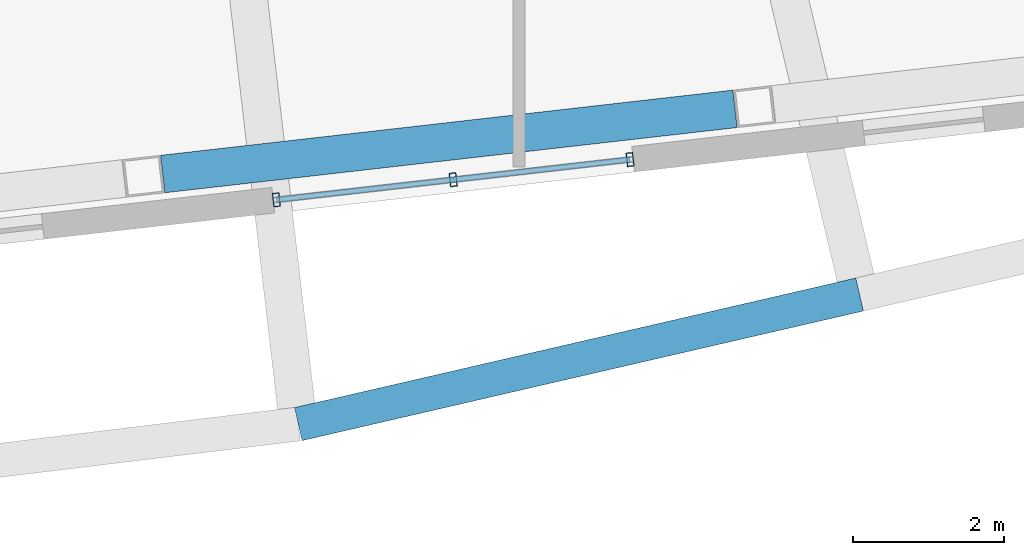
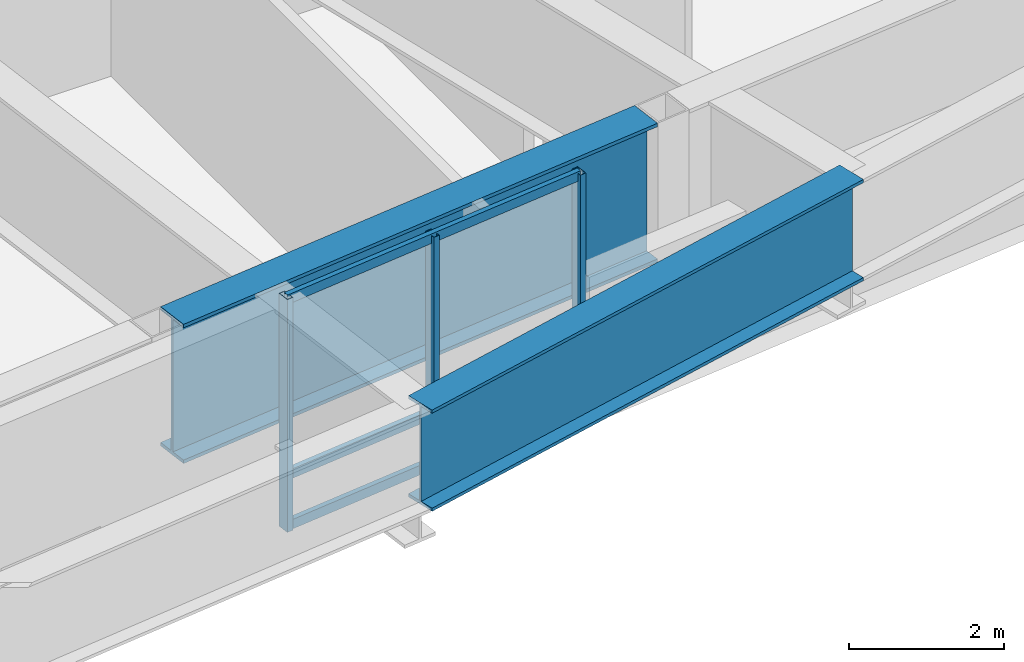
# One storey, part 6 of 18: 6 members, 2 beams, 1 element without a shape of its own.
"""IFC4 building model written with IfcOpenShell, lengths in metres."""

import ifcopenshell
import ifcopenshell.guid

model = None  # the IFC model being written
_history = None  # IfcOwnerHistory: only IFC2X3 demands one
_inside = {}  # id of a spatial element -> (the spatial element, [elements in it])
_under = {}  # id of a project, library or spatial element -> (it, [spatial elements below it])
_declared = {}  # id of a project -> (the project, [libraries it declares])
_typed = {}  # id of a type object -> (the type object, [elements of that type])
_made_of = {}  # id of a material, layer set ... -> (it, [elements and type objects made of it])


def new_model(schema):
    """Start an empty IFC model of exactly this schema.

    Asked for "IFC4X3", IfcOpenShell would pick the latest addendum, in which some entities
    have other attributes; the version numbers below select the first issue.
    IFC2X3 requires an IfcOwnerHistory on every rooted entity: one is made here for all.
    """
    global model, _history
    if schema == "IFC4X3":
        model = ifcopenshell.file(schema_version=(4, 3, 0, 0))
    else:
        model = ifcopenshell.file(schema=schema)
    _inside.clear()
    _under.clear()
    _declared.clear()
    _typed.clear()
    _made_of.clear()
    _history = None
    if model.schema == "IFC2X3":
        org = make("IfcOrganization", Name="unknown")
        user = make(
            "IfcPersonAndOrganization",
            ThePerson=make("IfcPerson", FamilyName="unknown"),
            TheOrganization=org,
        )
        app = make(
            "IfcApplication",
            ApplicationDeveloper=org,
            Version="unknown",
            ApplicationFullName="unknown",
            ApplicationIdentifier="unknown",
        )
        _history = make(
            "IfcOwnerHistory",
            OwningUser=user,
            OwningApplication=app,
            ChangeAction="ADDED",
            CreationDate=0,
        )
    return model


def make(cls, **values):
    """One entity of the class cls with the attributes given. An attribute that is None is left unset."""
    return model.create_entity(
        cls, **{name: value for name, value in values.items() if value is not None}
    )


def rooted(cls, **values):
    """An entity with a GlobalId (a new one), such as an element, a storey or a relation."""
    return make(cls, GlobalId=ifcopenshell.guid.new(), OwnerHistory=_history, **values)


def si_unit(unit_type, name, prefix=None):
    """IfcSIUnit, for example si_unit("LENGTHUNIT", "METRE", prefix="MILLI")."""
    return make("IfcSIUnit", UnitType=unit_type, Prefix=prefix, Name=name)


def assignment(units):
    """IfcUnitAssignment: the units of a project."""
    return None if units is None else make("IfcUnitAssignment", Units=units)


def point(xyz):
    """IfcCartesianPoint."""
    return None if xyz is None else make("IfcCartesianPoint", Coordinates=xyz)


def direction(xyz):
    """IfcDirection."""
    return None if xyz is None else make("IfcDirection", DirectionRatios=xyz)


def frame(location, z_axis=None, x_axis=None):
    """IfcAxis2Placement3D, a coordinate frame: its origin and axes. An axis left out is left unset."""
    return make(
        "IfcAxis2Placement3D",
        Location=point(location),
        Axis=direction(z_axis),
        RefDirection=direction(x_axis),
    )


def frame_2d(location, x_axis=None):
    """IfcAxis2Placement2D, a coordinate frame in the plane: its origin and x axis."""
    return make(
        "IfcAxis2Placement2D", Location=point(location), RefDirection=direction(x_axis)
    )


def origin():
    """The frame at (0, 0, 0) with its axes left unset."""
    return frame((0.0, 0.0, 0.0))


def origin_2d():
    """The frame at (0, 0) in the plane with its x axis left unset."""
    return frame_2d((0.0, 0.0))


def place(relative_to, where):
    """IfcLocalPlacement: puts the frame where relative to a parent placement (None: the world)."""
    return make(
        "IfcLocalPlacement", PlacementRelTo=relative_to, RelativePlacement=where
    )


def context(
    kind, dimensions, precision=None, world=None, true_north=None, identifier=None
):
    """IfcGeometricRepresentationContext, for example the 3D "Model" context."""
    return make(
        "IfcGeometricRepresentationContext",
        ContextIdentifier=identifier,
        ContextType=kind,
        CoordinateSpaceDimension=dimensions,
        Precision=precision,
        WorldCoordinateSystem=world,
        TrueNorth=true_north,
    )


def subcontext(parent, identifier, kind, view, scale=None):
    """IfcGeometricRepresentationSubContext, for example "Body" below "Model"."""
    return make(
        "IfcGeometricRepresentationSubContext",
        ContextIdentifier=identifier,
        ContextType=kind,
        ParentContext=parent,
        TargetScale=scale,
        TargetView=view,
    )


def project(units=None, contexts=None):
    """IfcProject with its units and contexts."""
    return rooted(
        "IfcProject",
        Name="project",
        RepresentationContexts=contexts,
        UnitsInContext=assignment(units),
    )


def spatial(cls, under=None, at=None, **own):
    """A site, building, storey or space (cls), placed at a placement, below another one or the project."""
    s = rooted(cls, ObjectPlacement=at, **own)
    if under is not None:
        _under.setdefault(under.id(), (under, []))[1].append(s)
    return s


def profile(cls, at=None, kind="AREA", **sizes):
    """A parametric profile (cls). Its sizes go by their IFC names, for example OverallWidth=200.0."""
    return make(cls, ProfileType=kind, Position=at, **sizes)


def hollow_rectangle(**sizes):
    """IfcRectangleHollowProfileDef."""
    return profile("IfcRectangleHollowProfileDef", **sizes)


def i_section(**sizes):
    """IfcIShapeProfileDef."""
    return profile("IfcIShapeProfileDef", **sizes)


def extrude(swept, where, along, depth):
    """IfcExtrudedAreaSolid: the profile swept, set in the frame where, extruded along a direction by depth."""
    return make(
        "IfcExtrudedAreaSolid",
        SweptArea=swept,
        Position=where,
        ExtrudedDirection=direction(along),
        Depth=depth,
    )


def shape(context_of_items, identifier, shape_type, items):
    """IfcShapeRepresentation: the items that make up one representation, for example the "Body"."""
    return make(
        "IfcShapeRepresentation",
        ContextOfItems=context_of_items,
        RepresentationIdentifier=identifier,
        RepresentationType=shape_type,
        Items=items,
    )


def material(Name=None, Category=None):
    """IfcMaterial."""
    return make("IfcMaterial", Name=Name, Category=Category)


def layer(
    of_material, thickness, ventilated=None, Name=None, Category=None, Priority=None
):
    """IfcMaterialLayer: one layer of a wall or slab, of a material (None: an air gap)."""
    return make(
        "IfcMaterialLayer",
        Material=of_material,
        LayerThickness=thickness,
        IsVentilated=ventilated,
        Name=Name,
        Category=Category,
        Priority=Priority,
    )


def layer_set(layers, Name=None):
    """IfcMaterialLayerSet."""
    return make("IfcMaterialLayerSet", MaterialLayers=layers, LayerSetName=Name)


def material_profile(
    of_material, cross_section, Name=None, Category=None, Priority=None
):
    """IfcMaterialProfile: a cross section and its material."""
    return make(
        "IfcMaterialProfile",
        Name=Name,
        Material=of_material,
        Profile=cross_section,
        Priority=Priority,
        Category=Category,
    )


def profile_set(profiles, Name=None, composite=None):
    """IfcMaterialProfileSet."""
    return make(
        "IfcMaterialProfileSet",
        Name=Name,
        MaterialProfiles=profiles,
        CompositeProfile=composite,
    )


def made_of(thing, what):
    """Note that an element or type object is made of a material, layer set ...; save() writes the relation."""
    if what is not None:
        _made_of.setdefault(what.id(), (what, []))[1].append(thing)
    return thing


def type_object(cls, material=None, **own):
    """A type object (cls), such as IfcWallType, which elements share."""
    return made_of(rooted(cls, **own), material)


def element(
    cls,
    number,
    at=None,
    inside=None,
    cuts=None,
    type_object=None,
    material=None,
    context=None,
    identifier="Body",
    shape_type=None,
    held_by="IfcProductDefinitionShape",
    body=None,
    shapes=None,
    **own,
):
    """One element of the class cls, such as IfcWall. Its Tag is "e" and its number.

    at: its placement. inside: the storey or other place that contains it. cuts: it is an
    opening in that element (IfcRelVoidsElement). A single representation is given by context,
    identifier, shape_type and body (its items); several are given by shapes. held_by: the class
    of the entity that holds the representations. save() writes the other relations.
    """
    e = rooted(cls, Tag="e%d" % number, ObjectPlacement=at, **own)
    if body is not None:
        shapes = [shape(context, identifier, shape_type, body)]
    if shapes is not None:
        e.Representation = make(held_by, Representations=shapes)
    if inside is not None:
        _inside.setdefault(inside.id(), (inside, []))[1].append(e)
    if cuts is not None:
        rooted(
            "IfcRelVoidsElement", RelatingBuildingElement=cuts, RelatedOpeningElement=e
        )
    if type_object is not None:
        _typed.setdefault(type_object.id(), (type_object, []))[1].append(e)
    return made_of(e, material)


def aggregate(whole, parts):
    """IfcRelAggregates: a whole, such as a stair, and the parts it consists of."""
    return rooted("IfcRelAggregates", RelatingObject=whole, RelatedObjects=parts)


def save(model, path):
    """Write the relations noted so far, then the file.

    IfcRelAggregates (storeys below a building ...), IfcRelContainedInSpatialStructure (elements
    in a storey), IfcRelDefinesByType, IfcRelAssociatesMaterial and IfcRelDeclares: one each for
    every whole, place, type object, material and project.
    """
    for whole, parts in _under.values():
        aggregate(whole, parts)
    for where, things in _inside.values():
        rooted(
            "IfcRelContainedInSpatialStructure",
            RelatedElements=things,
            RelatingStructure=where,
        )
    for kind, things in _typed.values():
        rooted("IfcRelDefinesByType", RelatedObjects=things, RelatingType=kind)
    for what, things in _made_of.values():
        rooted("IfcRelAssociatesMaterial", RelatedObjects=things, RelatingMaterial=what)
    for by, libraries in _declared.values():
        rooted("IfcRelDeclares", RelatingContext=by, RelatedDefinitions=libraries)
    model.write(path)


model = new_model("IFC4")

# Units and contexts
model_context = context("Model", 3, precision=1e-05, world=origin(), true_north=direction((0.0, 1.0)))
body_context = subcontext(model_context, "Body", "Model", "MODEL_VIEW")
ifc_project = project(units=[si_unit("LENGTHUNIT", "METRE"), si_unit("AREAUNIT", "SQUARE_METRE"), si_unit("VOLUMEUNIT", "CUBIC_METRE"), si_unit("PLANEANGLEUNIT", "RADIAN"), si_unit("MASSUNIT", "GRAM", prefix="KILO")], contexts=[model_context])

# Site, building, storey
site_placement = place(None, origin())
site = spatial("IfcSite", under=ifc_project, at=site_placement, CompositionType="ELEMENT")
building_placement = place(site_placement, origin())
building = spatial("IfcBuilding", under=site, at=building_placement, Name="Tavrogorsk Clinical Tower", CompositionType="ELEMENT")
storey_placement = place(building_placement, frame((0.0, 0.0, 267.0)))
storey = spatial("IfcBuildingStorey", under=building, at=storey_placement, Name="L62", CompositionType="ELEMENT", Elevation=267.0)

# Curtain wall, members
ifc_material_1 = material(Name="Anodised aluminium and triple IGU glazing", Category="aluminium")
ifc_layer = layer(ifc_material_1, 0.179931640625)
ifc_layer_set = layer_set([ifc_layer], Name="Anodised aluminium and triple IGU glazing")
curtain_wall_type = type_object("IfcCurtainWallType", Name="CW3_SouthSlot", PredefinedType="NOTDEFINED", material=ifc_layer_set)
curtain_wall_placement = place(storey_placement, origin())
curtain_wall = element("IfcCurtainWall", 1, at=curtain_wall_placement, inside=storey, type_object=curtain_wall_type, Name="L62 Curtain Wall CW-L62-S-SLOT-2", PredefinedType="NOTDEFINED")
ifc_material_2 = material(Name="Anodised aluminium alloy AW-6060", Category="aluminium")
ifc_material_profile_1 = material_profile(ifc_material_2, hollow_rectangle(XDim=0.090087890625, YDim=0.179931640625, WallThickness=0.00634765625, at=origin_2d()), Name="RHS-180x90x6.3")
ifc_profile_set_1 = profile_set([ifc_material_profile_1], Name="Anodised aluminium alloy AW-6060")
member_type_1 = type_object("IfcMemberType", Name="CwMullion_180x90", PredefinedType="MULLION", material=ifc_profile_set_1)
member_1_placement = place(storey_placement, frame((5.982177734375, -19.42529296875, 0.0), z_axis=(0.0, 0.0, 1.0), x_axis=(0.993571855603, 0.11320321441, 0.0)))
member_1 = element("IfcMember", 2, at=member_1_placement, type_object=member_type_1, Name="CW-L62-S-SLOT-2 Mullion 1", PredefinedType="MULLION", context=body_context, shape_type="SweptSolid", body=[
    extrude(hollow_rectangle(XDim=0.090087890625, YDim=0.179931640625, WallThickness=0.00634765625, at=origin_2d()), origin(), (0.0, 0.0, 1.0), 3.679931640625),
])
member_2_placement = place(storey_placement, frame((8.325927734375, -19.158203125, 0.0), z_axis=(0.0, 0.0, 1.0), x_axis=(0.993571855603, 0.11320321441, 0.0)))
member_2 = element("IfcMember", 3, at=member_2_placement, type_object=member_type_1, Name="CW-L62-S-SLOT-2 Mullion 2", PredefinedType="MULLION", context=body_context, shape_type="SweptSolid", body=[
    extrude(hollow_rectangle(XDim=0.090087890625, YDim=0.179931640625, WallThickness=0.00634765625, at=origin_2d()), origin(), (0.0, 0.0, 1.0), 3.679931640625),
])
member_3_placement = place(storey_placement, frame((10.669677734375, -18.89111328125, 0.0), z_axis=(0.0, 0.0, 1.0), x_axis=(0.993571855603, 0.11320321441, 0.0)))
member_3 = element("IfcMember", 4, at=member_3_placement, type_object=member_type_1, Name="CW-L62-S-SLOT-2 Mullion 3", PredefinedType="MULLION", context=body_context, shape_type="SweptSolid", body=[
    extrude(hollow_rectangle(XDim=0.090087890625, YDim=0.179931640625, WallThickness=0.00634765625, at=origin_2d()), origin(), (0.0, 0.0, 1.0), 3.679931640625),
])
ifc_material_3 = material(Name="Anodised aluminium alloy AW-6060", Category="aluminium")
ifc_material_profile_2 = material_profile(ifc_material_3, hollow_rectangle(XDim=0.074951171875, YDim=0.14990234375, WallThickness=0.0048828125, at=origin_2d()), Name="RHS-150x75x5")
ifc_profile_set_2 = profile_set([ifc_material_profile_2], Name="Anodised aluminium alloy AW-6060")
member_type_2 = type_object("IfcMemberType", Name="CwTransom_150x75", PredefinedType="USERDEFINED", material=ifc_profile_set_2)
member_4_placement = place(storey_placement, frame((5.982177734375, -19.42529296875, 0.050048828125), z_axis=(0.993569315854, 0.113225503286, 0.0), x_axis=(-0.113225503286, 0.993569315854, 0.0)))
member_4 = element("IfcMember", 5, at=member_4_placement, type_object=member_type_2, Name="CW-L62-S-SLOT-2 Transom 1", ObjectType="TRANSOM", PredefinedType="USERDEFINED", context=body_context, shape_type="SweptSolid", body=[
    extrude(hollow_rectangle(XDim=0.074951171875, YDim=0.14990234375, WallThickness=0.0048828125, at=origin_2d()), origin(), (0.0, 0.0, 1.0), 4.7177734375),
])
member_5_placement = place(storey_placement, frame((5.982177734375, -19.42529296875, 0.85009765625), z_axis=(0.993569315854, 0.113225503286, 0.0), x_axis=(-0.113225503286, 0.993569315854, 0.0)))
member_5 = element("IfcMember", 6, at=member_5_placement, type_object=member_type_2, Name="CW-L62-S-SLOT-2 Transom 2", ObjectType="TRANSOM", PredefinedType="USERDEFINED", context=body_context, shape_type="SweptSolid", body=[
    extrude(hollow_rectangle(XDim=0.074951171875, YDim=0.14990234375, WallThickness=0.0048828125, at=origin_2d()), origin(), (0.0, 0.0, 1.0), 4.7177734375),
])
member_6_placement = place(storey_placement, frame((5.982177734375, -19.42529296875, 3.6298828125), z_axis=(0.993569315854, 0.113225503286, 0.0), x_axis=(-0.113225503286, 0.993569315854, 0.0)))
member_6 = element("IfcMember", 7, at=member_6_placement, type_object=member_type_2, Name="CW-L62-S-SLOT-2 Transom 3", ObjectType="TRANSOM", PredefinedType="USERDEFINED", context=body_context, shape_type="SweptSolid", body=[
    extrude(hollow_rectangle(XDim=0.074951171875, YDim=0.14990234375, WallThickness=0.0048828125, at=origin_2d()), origin(), (0.0, 0.0, 1.0), 4.7177734375),
])
aggregate(curtain_wall, [member_1, member_2, member_3, member_4, member_5, member_6])

# Beams
ifc_material_4 = material(Name="Structural steel S440", Category="steel")
ifc_material_profile_3 = material_profile(ifc_material_4, i_section(OverallWidth=0.449951171875, OverallDepth=1.60009765625, WebThickness=0.031982421875, FlangeThickness=0.050048828125, at=origin_2d()), Name="DK-1600x450x32x50")
ifc_profile_set_3 = profile_set([ifc_material_profile_3], Name="Structural steel S440")
beam_type_1 = type_object("IfcBeamType", Name="TransferGirder_DK1600", PredefinedType="USERDEFINED", material=ifc_profile_set_3)
beam_1_placement = place(storey_placement, frame((6.272705078125, -22.39697265625, 2.8798828125), z_axis=(0.974370709994, 0.22494825962, 0.0), x_axis=(-0.22494825962, 0.974370709994, 0.0)))
element("IfcBeam", 8, at=beam_1_placement, inside=storey, type_object=beam_type_1, Name="L63 Transfer Edge Girder S5-S6", ObjectType="GIRDER", PredefinedType="USERDEFINED", context=body_context, shape_type="SweptSolid", body=[
    extrude(i_section(OverallWidth=0.449951171875, OverallDepth=1.60009765625, WebThickness=0.031982421875, FlangeThickness=0.050048828125, at=origin_2d()), origin(), (0.0, 0.0, 1.0), 7.634033203125),
])
ifc_material_5 = material(Name="Structural steel S440", Category="steel")
ifc_material_profile_4 = material_profile(ifc_material_5, i_section(OverallWidth=0.5, OverallDepth=2.199951171875, WebThickness=0.035888671875, FlangeThickness=0.054931640625, at=origin_2d()), Name="DK-2200x500x36x55")
ifc_profile_set_4 = profile_set([ifc_material_profile_4], Name="Structural steel S440")
beam_type_2 = type_object("IfcBeamType", Name="TransferGirder_DK2200", PredefinedType="USERDEFINED", material=ifc_profile_set_4)
beam_2_placement = place(storey_placement, frame((4.476318359375, -19.08349609375, 2.580078125), z_axis=(0.993572509708, 0.113197473259, 0.0), x_axis=(-0.113197473259, 0.993572509708, 0.0)))
element("IfcBeam", 9, at=beam_2_placement, inside=storey, type_object=beam_type_2, Name="L62 Perimeter Spandrel S5-S6", ObjectType="GIRDER", PredefinedType="USERDEFINED", context=body_context, shape_type="SweptSolid", body=[
    extrude(i_section(OverallWidth=0.5, OverallDepth=2.199951171875, WebThickness=0.035888671875, FlangeThickness=0.054931640625, at=origin_2d()), origin(), (0.0, 0.0, 1.0), 7.6328125),
])

save(model, "model.ifc")
